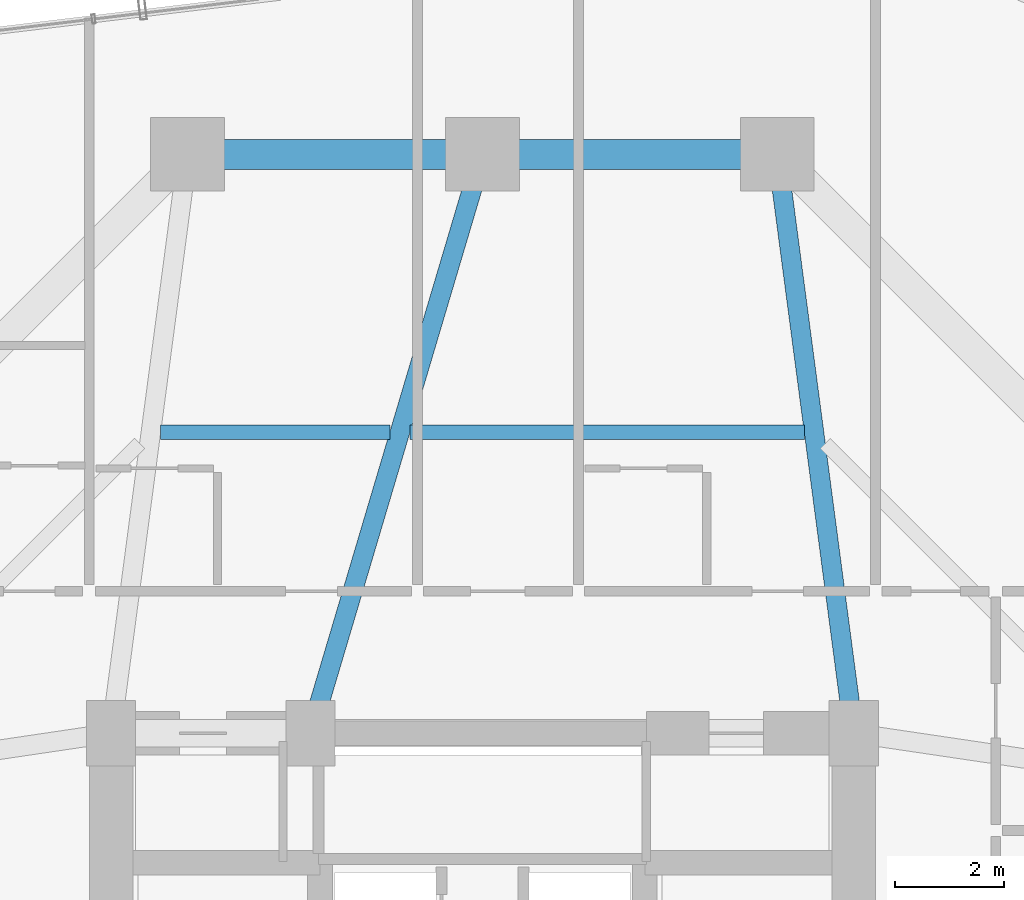
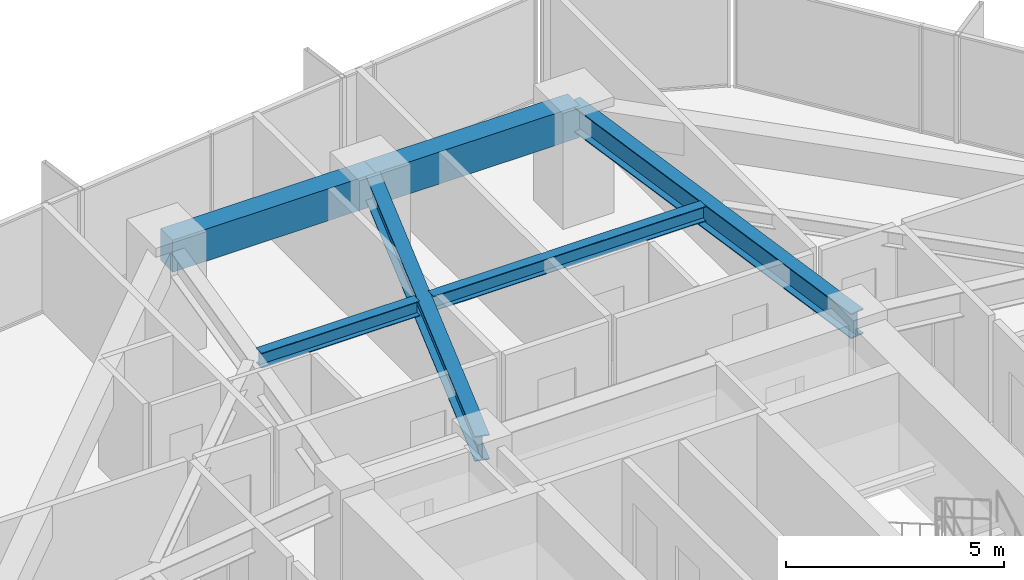
# One storey, part 24 of 37: 6 beams.
"""IFC4 building model written with IfcOpenShell, lengths in metres."""

from ifc_helpers import new_model, si_unit, direction, frame, origin, origin_2d, place, context, subcontext, project, spatial, rectangle, i_section, extrude, material, material_profile, profile_set, type_object, element, save


model = new_model("IFC4")

# Units and contexts
model_context = context("Model", 3, precision=1e-05, world=origin(), true_north=direction((0.0, 1.0)))
body_context = subcontext(model_context, "Body", "Model", "MODEL_VIEW")
ifc_project = project(units=[si_unit("LENGTHUNIT", "METRE"), si_unit("AREAUNIT", "SQUARE_METRE"), si_unit("VOLUMEUNIT", "CUBIC_METRE"), si_unit("PLANEANGLEUNIT", "RADIAN"), si_unit("MASSUNIT", "GRAM", prefix="KILO")], contexts=[model_context])

# Site, building, storey
site_placement = place(None, origin())
site = spatial("IfcSite", under=ifc_project, at=site_placement, CompositionType="ELEMENT")
building_placement = place(site_placement, origin())
building = spatial("IfcBuilding", under=site, at=building_placement, Name="Veraguas Prism Commons", CompositionType="ELEMENT")
storey_placement = place(building_placement, frame((0.0, 0.0, 46.800048828125)))
storey = spatial("IfcBuildingStorey", under=building, at=storey_placement, Name="L12", CompositionType="ELEMENT", Elevation=46.800048828125)

# Beams
ifc_material_1 = material(Name="Steel ASTM A992 Grade 50", Category="steel")
ifc_material_profile_1 = material_profile(ifc_material_1, i_section(OverallWidth=0.260986328125, OverallDepth=0.419921875, WebThickness=0.01171875, FlangeThickness=0.019287109375, at=origin_2d()), Name="W410X114")
ifc_profile_set_1 = profile_set([ifc_material_profile_1], Name="Steel ASTM A992 Grade 50")
beam_type_1 = type_object("IfcBeamType", Name="Lower Floor Joist W410x114", PredefinedType="JOIST", material=ifc_profile_set_1)
beam_1_placement = place(storey_placement, frame((29.89453125, 36.511962890625, 2.7900390625), z_axis=(-1.0, 0.0, 0.0), x_axis=(0.0, -1.0, 0.0)))
element("IfcBeam", 1, at=beam_1_placement, inside=storey, type_object=beam_type_1, Name="Composite Floor Joist L12-JS04", PredefinedType="JOIST", context=body_context, shape_type="SweptSolid", body=[
    extrude(i_section(OverallWidth=0.260986328125, OverallDepth=0.419921875, WebThickness=0.01171875, FlangeThickness=0.019287109375, at=origin_2d()), origin(), (0.0, 0.0, 1.0), 7.222900390625),
])
beam_2_placement = place(storey_placement, frame((22.304443359375, 36.511962890625, 2.7900390625), z_axis=(-1.0, 0.0, 0.0), x_axis=(0.0, -1.0, 0.0)))
element("IfcBeam", 2, at=beam_2_placement, inside=storey, type_object=beam_type_1, Name="Composite Floor Joist L12-JS05", PredefinedType="JOIST", context=body_context, shape_type="SweptSolid", body=[
    extrude(i_section(OverallWidth=0.260986328125, OverallDepth=0.419921875, WebThickness=0.01171875, FlangeThickness=0.019287109375, at=origin_2d()), origin(), (0.0, 0.0, 1.0), 4.198974609375),
])
ifc_material_2 = material(Name="Concrete C50/60", Category="concrete")
ifc_material_profile_2 = material_profile(ifc_material_2, rectangle(XDim=0.550048828125, YDim=0.89990234375, at=origin_2d()), Name="RC550X900")
ifc_profile_set_2 = profile_set([ifc_material_profile_2], Name="Concrete C50/60")
beam_type_2 = type_object("IfcBeamType", Name="Perimeter Spandrel Lower RC 550x900", PredefinedType="SPANDREL", material=ifc_profile_set_2)
for number, where, z_axis, x_axis, name in (
    (3, (29.39990234375, 41.60009765625, 2.550048828125), (-1.0, 0.0, 0.0), (0.0, -1.0, 0.0), "Perimeter Spandrel Beam L12-SP04"),
    (4, (24.0, 41.60009765625, 2.550048828125), (-1.0, 0.0, 0.0), (0.0, -1.0, 0.0), "Perimeter Spandrel Beam L12-SP05"),
):
    element("IfcBeam", number, at=place(storey_placement, frame(where, z_axis=z_axis, x_axis=x_axis)), inside=storey, type_object=beam_type_2, Name=name, PredefinedType="SPANDREL", context=body_context, shape_type="SweptSolid", body=[
        extrude(rectangle(XDim=0.550048828125, YDim=0.89990234375, at=origin_2d()), origin(), (0.0, 0.0, 1.0), 5.39990234375),
    ])
ifc_material_profile_3 = material_profile(ifc_material_1, i_section(OverallWidth=0.35595703125, OverallDepth=0.700927734375, WebThickness=0.016845703125, FlangeThickness=0.02734375, at=origin_2d()), Name="W690X240")
ifc_profile_set_3 = profile_set([ifc_material_profile_3], Name="Steel ASTM A992 Grade 50")
beam_type_3 = type_object("IfcBeamType", Name="Zone 1 Radial Girder W690x240", PredefinedType="BEAM", material=ifc_profile_set_3)
beam_3_placement = place(storey_placement, frame((29.39990234375, 41.60009765625, 2.6494140625), z_axis=(0.130950648891, -0.991388888154, 0.0), x_axis=(0.991388888154, 0.130950648891, 0.0)))
element("IfcBeam", 5, at=beam_3_placement, inside=storey, type_object=beam_type_3, Name="Radial Floor Girder L12-RD04", PredefinedType="BEAM", context=body_context, shape_type="SweptSolid", body=[
    extrude(i_section(OverallWidth=0.35595703125, OverallDepth=0.700927734375, WebThickness=0.016845703125, FlangeThickness=0.02734375, at=origin_2d()), origin(), (0.0, 0.0, 1.0), 10.692138671875),
])
beam_4_placement = place(storey_placement, frame((24.0, 41.60009765625, 2.6494140625), z_axis=(-0.28484745997, -0.958572858237, 0.0), x_axis=(0.958572858237, -0.28484745997, 0.0)))
element("IfcBeam", 6, at=beam_4_placement, inside=storey, type_object=beam_type_3, Name="Radial Floor Girder L12-RD05", PredefinedType="BEAM", context=body_context, shape_type="SweptSolid", body=[
    extrude(i_section(OverallWidth=0.35595703125, OverallDepth=0.700927734375, WebThickness=0.016845703125, FlangeThickness=0.02734375, at=origin_2d()), origin(), (0.0, 0.0, 1.0), 11.05810546875),
])

save(model, "model.ifc")
